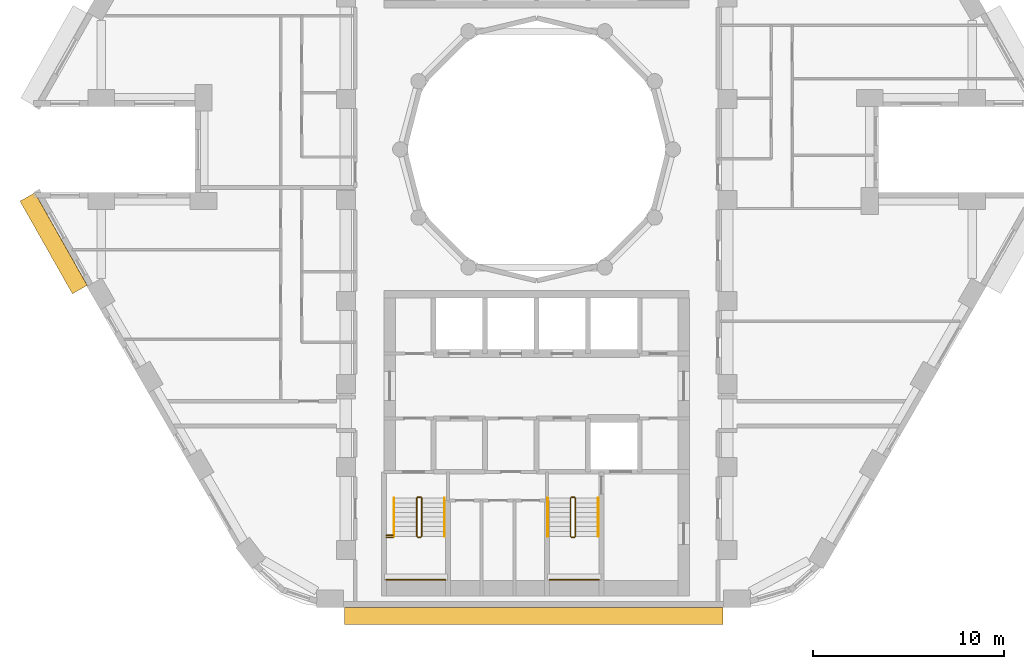
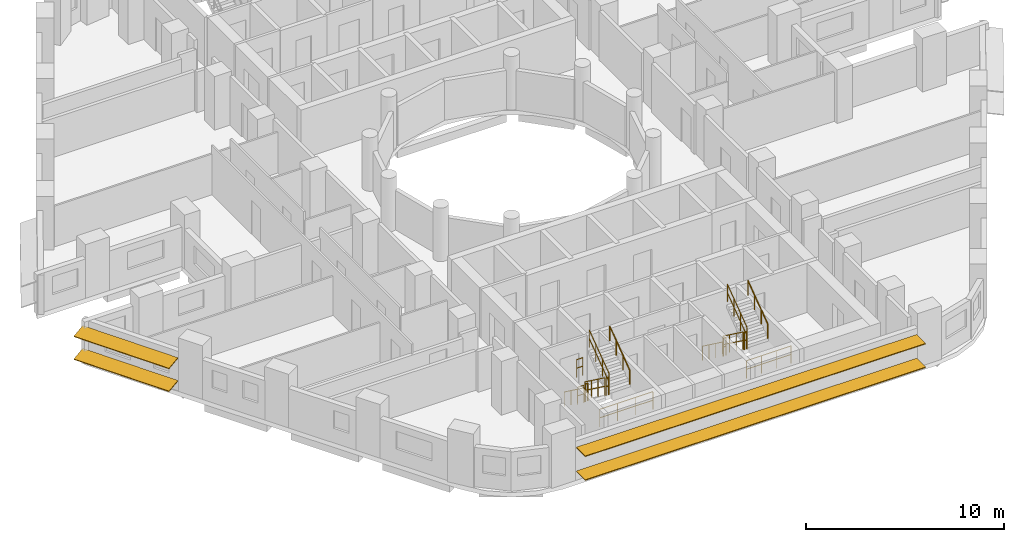
# One storey, part 10 of 12: 16 railings, 4 shading devices.
"""IFC4 building model written with IfcOpenShell, lengths in metres."""

from ifc_helpers import new_model, si_unit, direction, frame, origin, origin_2d, place, context, subcontext, project, spatial, rectangle, circle, extrude, material, material_profile, profile_set, type_object, element, save


model = new_model("IFC4")

# Units and contexts
model_context = context("Model", 3, precision=1e-05, world=origin(), true_north=direction((0.0, 1.0)))
body_context = subcontext(model_context, "Body", "Model", "MODEL_VIEW")
ifc_project = project(units=[si_unit("LENGTHUNIT", "METRE"), si_unit("AREAUNIT", "SQUARE_METRE"), si_unit("VOLUMEUNIT", "CUBIC_METRE"), si_unit("PLANEANGLEUNIT", "RADIAN"), si_unit("MASSUNIT", "GRAM", prefix="KILO")], contexts=[model_context])

# Site, building, storey
site_placement = place(None, origin())
site = spatial("IfcSite", under=ifc_project, at=site_placement, CompositionType="ELEMENT")
building_placement = place(site_placement, origin())
building = spatial("IfcBuilding", under=site, at=building_placement, Name="Nakaniwa Court", CompositionType="ELEMENT")
storey_placement = place(building_placement, frame((0.0, 0.0, 100.800048828125)))
storey = spatial("IfcBuildingStorey", under=building, at=storey_placement, Name="L26", CompositionType="ELEMENT", Elevation=100.800048828125)

# Shading devices
ifc_material_1 = material(Name="Perforated charcoal ceramic louvre blade")
ifc_material_profile = material_profile(ifc_material_1, rectangle(XDim=0.89990234375, YDim=0.050048828125, at=origin_2d()), Name="Perforated ceramic louvre blade")
ifc_profile_set = profile_set([ifc_material_profile], Name="Perforated charcoal ceramic louvre blade")
shading_device_type = type_object("IfcShadingDeviceType", Name="Perforated ceramic louvre blade", PredefinedType="JALOUSIE", material=ifc_profile_set)
for number, where, z_axis, x_axis, name in (
    (1, (53.31689453125, 77.508056640625, 0.550048828125), (0.492438058427, -0.870347493024, 0.0), (0.862701960504, 0.488112256124, 0.132256390257), "L26 perforated ceramic louvre blade w20 1"),
    (2, (53.31689453125, 77.508056640625, 1.95556640625), (0.492438058427, -0.870347493024, 0.0), (0.862701960504, 0.488112256124, 0.132256390257), "L26 perforated ceramic louvre blade w20 2"),
):
    element("IfcShadingDevice", number, at=place(storey_placement, frame(where, z_axis=z_axis, x_axis=x_axis)), inside=storey, type_object=shading_device_type, Name=name, PredefinedType="JALOUSIE", context=body_context, shape_type="SweptSolid", body=[
        extrude(rectangle(XDim=0.89990234375, YDim=0.050048828125, at=origin_2d()), origin(), (0.0, 0.0, 1.0), 5.576416015625),
    ])
for number, where, z_axis, x_axis, name in (
    (3, (69.92138671875, 55.550048828125, 0.550048828125), (1.0, 0.0, 0.0), (0.0, 1.0, 0.0), "L26 perforated ceramic louvre blade w26 1"),
    (4, (69.92138671875, 55.550048828125, 2.014892578125), (1.0, 0.0, 0.0), (0.0, 1.0, 0.0), "L26 perforated ceramic louvre blade w26 2"),
):
    element("IfcShadingDevice", number, at=place(storey_placement, frame(where, z_axis=z_axis, x_axis=x_axis)), inside=storey, type_object=shading_device_type, Name=name, PredefinedType="JALOUSIE", context=body_context, shape_type="SweptSolid", body=[
        extrude(rectangle(XDim=0.89990234375, YDim=0.050048828125, at=origin_2d()), origin(), (0.0, 0.0, 1.0), 19.839599609375),
    ])

# Railings
ifc_material_2 = material(Name="Black powder coated steel guard", Category="steel")
railing_type_1 = type_object("IfcRailingType", Name="Stair guard 1100", PredefinedType="GUARDRAIL", material=ifc_material_2)
railing_1_placement = place(storey_placement, frame((73.72509765625, 61.72509765625, 0.183349609375)))
element("IfcRailing", 5, at=railing_1_placement, inside=storey, type_object=railing_type_1, Name="L26 ST3 stair guard 1", PredefinedType="GUARDRAIL", context=body_context, shape_type="SweptSolid", body=[
    extrude(circle(Radius=0.02392578125, at=origin_2d()), frame((0.0, 0.0, 1.076171875), z_axis=(0.0, -0.806426902644, 0.591333789573), x_axis=(1.0, 0.0, 0.0)), (0.0, 0.0, 1.0), 2.47998046875),
    extrude(circle(Radius=0.02392578125, at=origin_2d()), frame((0.0, 0.0, 0.550048828125), z_axis=(0.0, -0.806426902644, 0.591333789573), x_axis=(1.0, 0.0, 0.0)), (0.0, 0.0, 1.0), 2.47998046875),
    extrude(circle(Radius=0.02099609375, at=origin_2d()), origin(), (0.0, 0.0, 1.0), 1.052001953125),
    extrude(circle(Radius=0.02099609375, at=origin_2d()), frame((0.0, -0.666748046875, 0.48876953125)), (0.0, 0.0, 1.0), 1.052001953125),
    extrude(circle(Radius=0.02099609375, at=origin_2d()), frame((0.0, -1.333251953125, 0.977783203125)), (0.0, 0.0, 1.0), 1.052001953125),
    extrude(circle(Radius=0.02099609375, at=origin_2d()), frame((0.0, -2.0, 1.466552734375)), (0.0, 0.0, 1.0), 1.052001953125),
])
railing_2_placement = place(storey_placement, frame((73.77490234375, 59.675048828125, 1.64990234375)))
element("IfcRailing", 6, at=railing_2_placement, inside=storey, type_object=railing_type_1, Name="L26 ST3 stair guard 2", PredefinedType="GUARDRAIL", context=body_context, shape_type="SweptSolid", body=[
    extrude(circle(Radius=0.02392578125, at=origin_2d()), frame((0.0, 0.0, 1.076171875), z_axis=(1.0, 0.0, 0.0), x_axis=(0.0, 1.0, 0.0)), (0.0, 0.0, 1.0), 0.150146484375),
    extrude(circle(Radius=0.02392578125, at=origin_2d()), frame((0.0, 0.0, 0.550048828125), z_axis=(1.0, 0.0, 0.0), x_axis=(0.0, 1.0, 0.0)), (0.0, 0.0, 1.0), 0.150146484375),
    extrude(circle(Radius=0.02099609375, at=origin_2d()), origin(), (0.0, 0.0, 1.0), 1.052001953125),
    extrude(circle(Radius=0.02099609375, at=origin_2d()), frame((0.150146484375, 0.0, 0.0)), (0.0, 0.0, 1.0), 1.052001953125),
])
railing_3_placement = place(storey_placement, frame((73.97509765625, 59.72509765625, 1.833251953125)))
element("IfcRailing", 7, at=railing_3_placement, inside=storey, type_object=railing_type_1, Name="L26 ST3 stair guard 3", PredefinedType="GUARDRAIL", context=body_context, shape_type="SweptSolid", body=[
    extrude(circle(Radius=0.02392578125, at=origin_2d()), frame((0.0, 0.0, 1.076171875), z_axis=(0.0, 0.806379959628, 0.591397802423), x_axis=(-1.0, 0.0, 0.0)), (0.0, 0.0, 1.0), 2.480224609375),
    extrude(circle(Radius=0.02392578125, at=origin_2d()), frame((0.0, 0.0, 0.550048828125), z_axis=(0.0, 0.806379959628, 0.591397802423), x_axis=(-1.0, 0.0, 0.0)), (0.0, 0.0, 1.0), 2.480224609375),
    extrude(circle(Radius=0.02099609375, at=origin_2d()), origin(), (0.0, 0.0, 1.0), 1.052001953125),
    extrude(circle(Radius=0.02099609375, at=origin_2d()), frame((0.0, 0.666748046875, 0.489013671875)), (0.0, 0.0, 1.0), 1.052001953125),
    extrude(circle(Radius=0.02099609375, at=origin_2d()), frame((0.0, 1.333251953125, 0.977783203125)), (0.0, 0.0, 1.0), 1.052001953125),
    extrude(circle(Radius=0.02099609375, at=origin_2d()), frame((0.0, 2.0, 1.466796875)), (0.0, 0.0, 1.0), 1.052001953125),
])
railing_4_placement = place(storey_placement, frame((73.77490234375, 61.77490234375, 0.0)))
element("IfcRailing", 8, at=railing_4_placement, inside=storey, type_object=railing_type_1, Name="L26 ST3 stair guard 4", PredefinedType="GUARDRAIL", context=body_context, shape_type="SweptSolid", body=[
    extrude(circle(Radius=0.02392578125, at=origin_2d()), frame((0.0, 0.0, 1.076171875), z_axis=(1.0, 0.0, 0.0), x_axis=(0.0, 1.0, 0.0)), (0.0, 0.0, 1.0), 0.150146484375),
    extrude(circle(Radius=0.02392578125, at=origin_2d()), frame((0.0, 0.0, 0.550048828125), z_axis=(1.0, 0.0, 0.0), x_axis=(0.0, 1.0, 0.0)), (0.0, 0.0, 1.0), 0.150146484375),
    extrude(circle(Radius=0.02099609375, at=origin_2d()), origin(), (0.0, 0.0, 1.0), 1.052001953125),
    extrude(circle(Radius=0.02099609375, at=origin_2d()), frame((0.150146484375, 0.0, 0.0)), (0.0, 0.0, 1.0), 1.052001953125),
])
railing_5_placement = place(storey_placement, frame((72.125, 57.449951171875, 1.64990234375)))
element("IfcRailing", 9, at=railing_5_placement, inside=storey, type_object=railing_type_1, Name="L26 ST3 landing end guard 1", PredefinedType="GUARDRAIL", context=body_context, shape_type="SweptSolid", body=[
    extrude(circle(Radius=0.02392578125, at=origin_2d()), frame((0.0, 0.0, 1.076171875), z_axis=(1.0, 0.0, 0.0), x_axis=(0.0, 1.0, 0.0)), (0.0, 0.0, 1.0), 3.10009765625),
    extrude(circle(Radius=0.02392578125, at=origin_2d()), frame((0.0, 0.0, 0.550048828125), z_axis=(1.0, 0.0, 0.0), x_axis=(0.0, 1.0, 0.0)), (0.0, 0.0, 1.0), 3.10009765625),
    extrude(circle(Radius=0.02099609375, at=origin_2d()), origin(), (0.0, 0.0, 1.0), 1.052001953125),
    extrude(circle(Radius=0.02099609375, at=origin_2d()), frame((1.033447265625, 0.0, 0.0)), (0.0, 0.0, 1.0), 1.052001953125),
    extrude(circle(Radius=0.02099609375, at=origin_2d()), frame((2.066650390625, 0.0, 0.0)), (0.0, 0.0, 1.0), 1.052001953125),
    extrude(circle(Radius=0.02099609375, at=origin_2d()), frame((3.10009765625, 0.0, 0.0)), (0.0, 0.0, 1.0), 1.052001953125),
])
for number, where, name in (
    (10, (72.125, 59.675048828125, 1.64990234375), "L26 ST3 landing side guard 1W"),
    (11, (72.125, 59.77490234375, 3.300048828125), "L26 ST3 floor edge guard 1W"),
):
    element("IfcRailing", number, at=place(storey_placement, frame(where)), inside=storey, type_object=railing_type_1, Name=name, PredefinedType="GUARDRAIL", context=body_context, shape_type="SweptSolid", body=[
        extrude(circle(Radius=0.02392578125, at=origin_2d()), frame((0.0, 0.0, 1.076171875), z_axis=(1.0, 0.0, 0.0), x_axis=(0.0, 1.0, 0.0)), (0.0, 0.0, 1.0), 0.35009765625),
        extrude(circle(Radius=0.02392578125, at=origin_2d()), frame((0.0, 0.0, 0.550048828125), z_axis=(1.0, 0.0, 0.0), x_axis=(0.0, 1.0, 0.0)), (0.0, 0.0, 1.0), 0.35009765625),
        extrude(circle(Radius=0.02099609375, at=origin_2d()), origin(), (0.0, 0.0, 1.0), 1.052001953125),
        extrude(circle(Radius=0.02099609375, at=origin_2d()), frame((0.35009765625, 0.0, 0.0)), (0.0, 0.0, 1.0), 1.052001953125),
    ])
railing_6_placement = place(storey_placement, frame((81.77490234375, 61.72509765625, 0.183349609375)))
element("IfcRailing", 12, at=railing_6_placement, inside=storey, type_object=railing_type_1, Name="L26 ST4 stair guard 1", PredefinedType="GUARDRAIL", context=body_context, shape_type="SweptSolid", body=[
    extrude(circle(Radius=0.02392578125, at=origin_2d()), frame((0.0, 0.0, 1.076171875), z_axis=(0.0, -0.806426902644, 0.591333789573), x_axis=(1.0, 0.0, 0.0)), (0.0, 0.0, 1.0), 2.47998046875),
    extrude(circle(Radius=0.02392578125, at=origin_2d()), frame((0.0, 0.0, 0.550048828125), z_axis=(0.0, -0.806426902644, 0.591333789573), x_axis=(1.0, 0.0, 0.0)), (0.0, 0.0, 1.0), 2.47998046875),
    extrude(circle(Radius=0.02099609375, at=origin_2d()), origin(), (0.0, 0.0, 1.0), 1.052001953125),
    extrude(circle(Radius=0.02099609375, at=origin_2d()), frame((0.0, -0.666748046875, 0.48876953125)), (0.0, 0.0, 1.0), 1.052001953125),
    extrude(circle(Radius=0.02099609375, at=origin_2d()), frame((0.0, -1.333251953125, 0.977783203125)), (0.0, 0.0, 1.0), 1.052001953125),
    extrude(circle(Radius=0.02099609375, at=origin_2d()), frame((0.0, -2.0, 1.466552734375)), (0.0, 0.0, 1.0), 1.052001953125),
])
railing_7_placement = place(storey_placement, frame((81.824951171875, 59.675048828125, 1.64990234375)))
element("IfcRailing", 13, at=railing_7_placement, inside=storey, type_object=railing_type_1, Name="L26 ST4 stair guard 2", PredefinedType="GUARDRAIL", context=body_context, shape_type="SweptSolid", body=[
    extrude(circle(Radius=0.02392578125, at=origin_2d()), frame((0.0, 0.0, 1.076171875), z_axis=(1.0, 0.0, 0.0), x_axis=(0.0, 1.0, 0.0)), (0.0, 0.0, 1.0), 0.150146484375),
    extrude(circle(Radius=0.02392578125, at=origin_2d()), frame((0.0, 0.0, 0.550048828125), z_axis=(1.0, 0.0, 0.0), x_axis=(0.0, 1.0, 0.0)), (0.0, 0.0, 1.0), 0.150146484375),
    extrude(circle(Radius=0.02099609375, at=origin_2d()), origin(), (0.0, 0.0, 1.0), 1.052001953125),
    extrude(circle(Radius=0.02099609375, at=origin_2d()), frame((0.150146484375, 0.0, 0.0)), (0.0, 0.0, 1.0), 1.052001953125),
])
railing_8_placement = place(storey_placement, frame((82.02490234375, 59.72509765625, 1.833251953125)))
element("IfcRailing", 14, at=railing_8_placement, inside=storey, type_object=railing_type_1, Name="L26 ST4 stair guard 3", PredefinedType="GUARDRAIL", context=body_context, shape_type="SweptSolid", body=[
    extrude(circle(Radius=0.02392578125, at=origin_2d()), frame((0.0, 0.0, 1.076171875), z_axis=(0.0, 0.806379959628, 0.591397802423), x_axis=(-1.0, 0.0, 0.0)), (0.0, 0.0, 1.0), 2.480224609375),
    extrude(circle(Radius=0.02392578125, at=origin_2d()), frame((0.0, 0.0, 0.550048828125), z_axis=(0.0, 0.806379959628, 0.591397802423), x_axis=(-1.0, 0.0, 0.0)), (0.0, 0.0, 1.0), 2.480224609375),
    extrude(circle(Radius=0.02099609375, at=origin_2d()), origin(), (0.0, 0.0, 1.0), 1.052001953125),
    extrude(circle(Radius=0.02099609375, at=origin_2d()), frame((0.0, 0.666748046875, 0.489013671875)), (0.0, 0.0, 1.0), 1.052001953125),
    extrude(circle(Radius=0.02099609375, at=origin_2d()), frame((0.0, 1.333251953125, 0.977783203125)), (0.0, 0.0, 1.0), 1.052001953125),
    extrude(circle(Radius=0.02099609375, at=origin_2d()), frame((0.0, 2.0, 1.466796875)), (0.0, 0.0, 1.0), 1.052001953125),
])
railing_9_placement = place(storey_placement, frame((81.824951171875, 61.77490234375, 0.0)))
element("IfcRailing", 15, at=railing_9_placement, inside=storey, type_object=railing_type_1, Name="L26 ST4 stair guard 4", PredefinedType="GUARDRAIL", context=body_context, shape_type="SweptSolid", body=[
    extrude(circle(Radius=0.02392578125, at=origin_2d()), frame((0.0, 0.0, 1.076171875), z_axis=(1.0, 0.0, 0.0), x_axis=(0.0, 1.0, 0.0)), (0.0, 0.0, 1.0), 0.150146484375),
    extrude(circle(Radius=0.02392578125, at=origin_2d()), frame((0.0, 0.0, 0.550048828125), z_axis=(1.0, 0.0, 0.0), x_axis=(0.0, 1.0, 0.0)), (0.0, 0.0, 1.0), 0.150146484375),
    extrude(circle(Radius=0.02099609375, at=origin_2d()), origin(), (0.0, 0.0, 1.0), 1.052001953125),
    extrude(circle(Radius=0.02099609375, at=origin_2d()), frame((0.150146484375, 0.0, 0.0)), (0.0, 0.0, 1.0), 1.052001953125),
])
railing_10_placement = place(storey_placement, frame((80.675048828125, 57.449951171875, 1.64990234375)))
element("IfcRailing", 16, at=railing_10_placement, inside=storey, type_object=railing_type_1, Name="L26 ST4 landing end guard 1", PredefinedType="GUARDRAIL", context=body_context, shape_type="SweptSolid", body=[
    extrude(circle(Radius=0.02392578125, at=origin_2d()), frame((0.0, 0.0, 1.076171875), z_axis=(1.0, 0.0, 0.0), x_axis=(0.0, 1.0, 0.0)), (0.0, 0.0, 1.0), 2.599853515625),
    extrude(circle(Radius=0.02392578125, at=origin_2d()), frame((0.0, 0.0, 0.550048828125), z_axis=(1.0, 0.0, 0.0), x_axis=(0.0, 1.0, 0.0)), (0.0, 0.0, 1.0), 2.599853515625),
    extrude(circle(Radius=0.02099609375, at=origin_2d()), origin(), (0.0, 0.0, 1.0), 1.052001953125),
    extrude(circle(Radius=0.02099609375, at=origin_2d()), frame((0.86669921875, 0.0, 0.0)), (0.0, 0.0, 1.0), 1.052001953125),
    extrude(circle(Radius=0.02099609375, at=origin_2d()), frame((1.733154296875, 0.0, 0.0)), (0.0, 0.0, 1.0), 1.052001953125),
    extrude(circle(Radius=0.02099609375, at=origin_2d()), frame((2.599853515625, 0.0, 0.0)), (0.0, 0.0, 1.0), 1.052001953125),
])
ifc_material_3 = material(Name="Black powder coated steel handrail", Category="steel")
railing_type_2 = type_object("IfcRailingType", Name="Stair handrail 900", PredefinedType="HANDRAIL", material=ifc_material_3)
railing_11_placement = place(storey_placement, frame((72.52490234375, 61.72509765625, 0.183349609375)))
element("IfcRailing", 17, at=railing_11_placement, inside=storey, type_object=railing_type_2, Name="L26 ST3 stair handrail 1", PredefinedType="HANDRAIL", context=body_context, shape_type="SweptSolid", body=[
    extrude(circle(Radius=0.02392578125, at=origin_2d()), frame((0.0, 0.0, 0.8759765625), z_axis=(0.0, -0.806426902644, 0.591333789573), x_axis=(1.0, 0.0, 0.0)), (0.0, 0.0, 1.0), 2.47998046875),
    extrude(circle(Radius=0.02099609375, at=origin_2d()), origin(), (0.0, 0.0, 1.0), 0.851806640625),
    extrude(circle(Radius=0.02099609375, at=origin_2d()), frame((0.0, -0.666748046875, 0.48876953125)), (0.0, 0.0, 1.0), 0.851806640625),
    extrude(circle(Radius=0.02099609375, at=origin_2d()), frame((0.0, -1.333251953125, 0.977783203125)), (0.0, 0.0, 1.0), 0.851806640625),
    extrude(circle(Radius=0.02099609375, at=origin_2d()), frame((0.0, -2.0, 1.466552734375)), (0.0, 0.0, 1.0), 0.851806640625),
])
railing_12_placement = place(storey_placement, frame((75.175048828125, 59.72509765625, 1.833251953125)))
element("IfcRailing", 18, at=railing_12_placement, inside=storey, type_object=railing_type_2, Name="L26 ST3 stair handrail 2", PredefinedType="HANDRAIL", context=body_context, shape_type="SweptSolid", body=[
    extrude(circle(Radius=0.02392578125, at=origin_2d()), frame((0.0, 0.0, 0.8759765625), z_axis=(0.0, 0.806379959628, 0.591397802423), x_axis=(-1.0, 0.0, 0.0)), (0.0, 0.0, 1.0), 2.480224609375),
    extrude(circle(Radius=0.02099609375, at=origin_2d()), origin(), (0.0, 0.0, 1.0), 0.851806640625),
    extrude(circle(Radius=0.02099609375, at=origin_2d()), frame((0.0, 0.666748046875, 0.489013671875)), (0.0, 0.0, 1.0), 0.851806640625),
    extrude(circle(Radius=0.02099609375, at=origin_2d()), frame((0.0, 1.333251953125, 0.977783203125)), (0.0, 0.0, 1.0), 0.851806640625),
    extrude(circle(Radius=0.02099609375, at=origin_2d()), frame((0.0, 2.0, 1.466796875)), (0.0, 0.0, 1.0), 0.851806640625),
])
railing_13_placement = place(storey_placement, frame((80.574951171875, 61.72509765625, 0.183349609375)))
element("IfcRailing", 19, at=railing_13_placement, inside=storey, type_object=railing_type_2, Name="L26 ST4 stair handrail 1", PredefinedType="HANDRAIL", context=body_context, shape_type="SweptSolid", body=[
    extrude(circle(Radius=0.02392578125, at=origin_2d()), frame((0.0, 0.0, 0.8759765625), z_axis=(0.0, -0.806426902644, 0.591333789573), x_axis=(1.0, 0.0, 0.0)), (0.0, 0.0, 1.0), 2.47998046875),
    extrude(circle(Radius=0.02099609375, at=origin_2d()), origin(), (0.0, 0.0, 1.0), 0.851806640625),
    extrude(circle(Radius=0.02099609375, at=origin_2d()), frame((0.0, -0.666748046875, 0.48876953125)), (0.0, 0.0, 1.0), 0.851806640625),
    extrude(circle(Radius=0.02099609375, at=origin_2d()), frame((0.0, -1.333251953125, 0.977783203125)), (0.0, 0.0, 1.0), 0.851806640625),
    extrude(circle(Radius=0.02099609375, at=origin_2d()), frame((0.0, -2.0, 1.466552734375)), (0.0, 0.0, 1.0), 0.851806640625),
])
railing_14_placement = place(storey_placement, frame((83.22509765625, 59.72509765625, 1.833251953125)))
element("IfcRailing", 20, at=railing_14_placement, inside=storey, type_object=railing_type_2, Name="L26 ST4 stair handrail 2", PredefinedType="HANDRAIL", context=body_context, shape_type="SweptSolid", body=[
    extrude(circle(Radius=0.02392578125, at=origin_2d()), frame((0.0, 0.0, 0.8759765625), z_axis=(0.0, 0.806379959628, 0.591397802423), x_axis=(-1.0, 0.0, 0.0)), (0.0, 0.0, 1.0), 2.480224609375),
    extrude(circle(Radius=0.02099609375, at=origin_2d()), origin(), (0.0, 0.0, 1.0), 0.851806640625),
    extrude(circle(Radius=0.02099609375, at=origin_2d()), frame((0.0, 0.666748046875, 0.489013671875)), (0.0, 0.0, 1.0), 0.851806640625),
    extrude(circle(Radius=0.02099609375, at=origin_2d()), frame((0.0, 1.333251953125, 0.977783203125)), (0.0, 0.0, 1.0), 0.851806640625),
    extrude(circle(Radius=0.02099609375, at=origin_2d()), frame((0.0, 2.0, 1.466796875)), (0.0, 0.0, 1.0), 0.851806640625),
])

save(model, "model.ifc")
